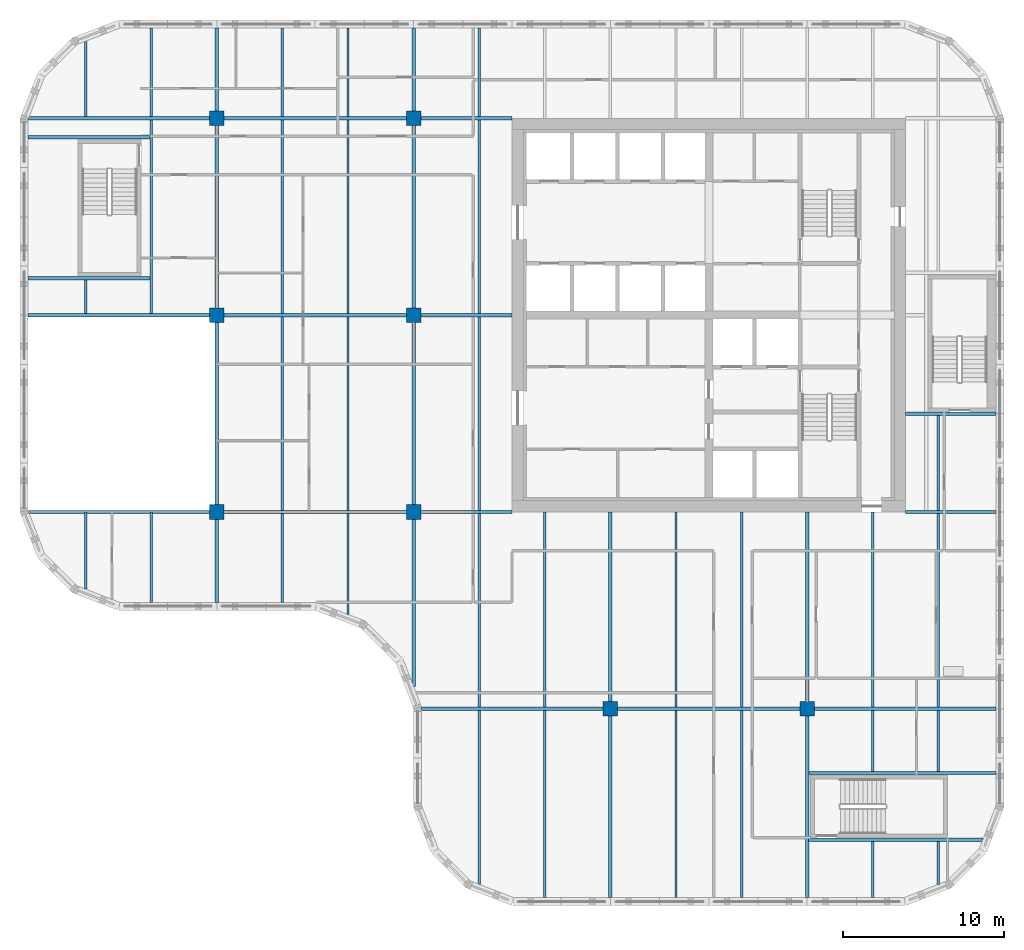
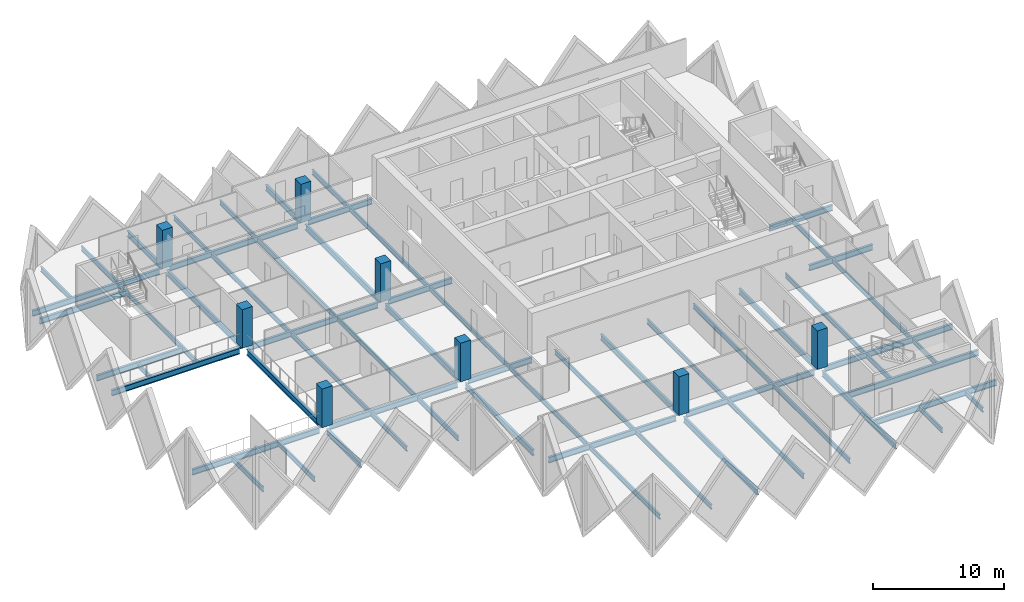
# One storey, part 1 of 12: 62 beams, 8 columns.
"""IFC4 building model written with IfcOpenShell, lengths in metres."""

from ifc_helpers import new_model, si_unit, direction, frame, origin, origin_2d, place, context, subcontext, project, spatial, rectangle, i_section, extrude, material, material_profile, profile_set, type_object, element, save


model = new_model("IFC4")

# Units and contexts
model_context = context("Model", 3, precision=1e-05, world=origin(), true_north=direction((0.0, 1.0)))
body_context = subcontext(model_context, "Body", "Model", "MODEL_VIEW")
ifc_project = project(units=[si_unit("LENGTHUNIT", "METRE"), si_unit("AREAUNIT", "SQUARE_METRE"), si_unit("VOLUMEUNIT", "CUBIC_METRE"), si_unit("PLANEANGLEUNIT", "RADIAN"), si_unit("MASSUNIT", "GRAM", prefix="KILO")], contexts=[model_context])

# Site, building, storey
site_placement = place(None, origin())
site = spatial("IfcSite", under=ifc_project, at=site_placement, CompositionType="ELEMENT")
building_placement = place(site_placement, origin())
building = spatial("IfcBuilding", under=site, at=building_placement, Name="Tessera Gate Towers", CompositionType="ELEMENT")
storey_placement = place(building_placement, frame((0.0, 0.0, 124.0)))
storey = spatial("IfcBuildingStorey", under=building, at=storey_placement, Name="L30", CompositionType="ELEMENT", Elevation=124.0)

# Columns
ifc_material_1 = material(Name="Concrete C70/85", Category="concrete")
ifc_material_profile_1 = material_profile(ifc_material_1, rectangle(XDim=0.89990234375, YDim=0.89990234375, at=origin_2d()), Name="RC 900x900")
ifc_profile_set_1 = profile_set([ifc_material_profile_1], Name="Concrete C70/85")
column_type = type_object("IfcColumnType", Name="COLUMN RC 900x900", PredefinedType="COLUMN", material=ifc_profile_set_1)
for number, where, z_axis, x_axis, name in (
    (1, (12.199951171875, 24.39990234375, 0.0), (0.0, 0.0, 1.0), (1.0, 0.0, 0.0), "T1-COL-2C-L30"),
    (2, (12.199951171875, 36.60009765625, 0.0), (0.0, 0.0, 1.0), (1.0, 0.0, 0.0), "T1-COL-2D-L30"),
    (3, (12.199951171875, 48.800048828125, 0.0), (0.0, 0.0, 1.0), (1.0, 0.0, 0.0), "T1-COL-2E-L30"),
    (4, (24.39990234375, 24.39990234375, 0.0), (0.0, 0.0, 1.0), (1.0, 0.0, 0.0), "T1-COL-3C-L30"),
    (5, (24.39990234375, 36.60009765625, 0.0), (0.0, 0.0, 1.0), (1.0, 0.0, 0.0), "T1-COL-3D-L30"),
    (6, (24.39990234375, 48.800048828125, 0.0), (0.0, 0.0, 1.0), (1.0, 0.0, 0.0), "T1-COL-3E-L30"),
    (7, (36.60009765625, 12.199951171875, 0.0), (0.0, 0.0, 1.0), (1.0, 0.0, 0.0), "T1-COL-4B-L30"),
    (8, (48.800048828125, 12.199951171875, 0.0), (0.0, 0.0, 1.0), (1.0, 0.0, 0.0), "T1-COL-5B-L30"),
):
    element("IfcColumn", number, at=place(storey_placement, frame(where, z_axis=z_axis, x_axis=x_axis)), inside=storey, type_object=column_type, Name=name, PredefinedType="COLUMN", context=body_context, shape_type="SweptSolid", body=[
        extrude(rectangle(XDim=0.89990234375, YDim=0.89990234375, at=origin_2d()), origin(), (0.0, 0.0, 1.0), 3.60009765625),
    ])

# Beams
ifc_material_2 = material(Name="Steel 350W", Category="steel")
ifc_material_profile_2 = material_profile(ifc_material_2, i_section(OverallWidth=0.208984375, OverallDepth=0.532958984375, WebThickness=0.01025390625, FlangeThickness=0.015625, at=origin_2d()), Name="W530x92")
ifc_profile_set_2 = profile_set([ifc_material_profile_2], Name="Steel 350W")
beam_type_1 = type_object("IfcBeamType", Name="FLOOR GIRDER W530x92", PredefinedType="BEAM", material=ifc_profile_set_2)
beam_1_placement = place(storey_placement, frame((24.89892578125, 12.199951171875, -0.466552734375), z_axis=(1.0, 0.0, 0.0), x_axis=(0.0, 1.0, 0.0)))
element("IfcBeam", 9, at=beam_1_placement, inside=storey, type_object=beam_type_1, Name="T1-GD-L30-3778", PredefinedType="BEAM", context=body_context, shape_type="SweptSolid", body=[
    extrude(i_section(OverallWidth=0.208984375, OverallDepth=0.532958984375, WebThickness=0.01025390625, FlangeThickness=0.015625, at=origin_2d()), origin(), (0.0, 0.0, 1.0), 11.2509765625),
])
beam_2_placement = place(storey_placement, frame((37.050048828125, 12.199951171875, -0.466552734375), z_axis=(1.0, 0.0, 0.0), x_axis=(0.0, 1.0, 0.0)))
element("IfcBeam", 10, at=beam_2_placement, inside=storey, type_object=beam_type_1, Name="T1-GD-L30-3779", PredefinedType="BEAM", context=body_context, shape_type="SweptSolid", body=[
    extrude(i_section(OverallWidth=0.208984375, OverallDepth=0.532958984375, WebThickness=0.01025390625, FlangeThickness=0.015625, at=origin_2d()), origin(), (0.0, 0.0, 1.0), 11.300048828125),
])
beam_3_placement = place(storey_placement, frame((49.25, 12.199951171875, -0.466552734375), z_axis=(1.0, 0.0, 0.0), x_axis=(0.0, 1.0, 0.0)))
element("IfcBeam", 11, at=beam_3_placement, inside=storey, type_object=beam_type_1, Name="T1-GD-L30-3780", PredefinedType="BEAM", context=body_context, shape_type="SweptSolid", body=[
    extrude(i_section(OverallWidth=0.208984375, OverallDepth=0.532958984375, WebThickness=0.01025390625, FlangeThickness=0.015625, at=origin_2d()), origin(), (0.0, 0.0, 1.0), 11.2509765625),
])
beam_4_placement = place(storey_placement, frame((0.534912109375, 24.39990234375, -0.466552734375), z_axis=(1.0, 0.0, 0.0), x_axis=(0.0, 1.0, 0.0)))
element("IfcBeam", 12, at=beam_4_placement, inside=storey, type_object=beam_type_1, Name="T1-GD-L30-3781", PredefinedType="BEAM", context=body_context, shape_type="SweptSolid", body=[
    extrude(i_section(OverallWidth=0.208984375, OverallDepth=0.532958984375, WebThickness=0.01025390625, FlangeThickness=0.015625, at=origin_2d()), origin(), (0.0, 0.0, 1.0), 11.215087890625),
])
beam_5_placement = place(storey_placement, frame((12.64990234375, 24.39990234375, -0.466552734375), z_axis=(1.0, 0.0, 0.0), x_axis=(0.0, 1.0, 0.0)))
element("IfcBeam", 13, at=beam_5_placement, inside=storey, type_object=beam_type_1, Name="T1-GD-L30-3782", PredefinedType="BEAM", context=body_context, shape_type="SweptSolid", body=[
    extrude(i_section(OverallWidth=0.208984375, OverallDepth=0.532958984375, WebThickness=0.01025390625, FlangeThickness=0.015625, at=origin_2d()), origin(), (0.0, 0.0, 1.0), 11.300048828125),
])
beam_6_placement = place(storey_placement, frame((24.85009765625, 24.39990234375, -0.466552734375), z_axis=(1.0, 0.0, 0.0), x_axis=(0.0, 1.0, 0.0)))
element("IfcBeam", 14, at=beam_6_placement, inside=storey, type_object=beam_type_1, Name="T1-GD-L30-3783", PredefinedType="BEAM", context=body_context, shape_type="SweptSolid", body=[
    extrude(i_section(OverallWidth=0.208984375, OverallDepth=0.532958984375, WebThickness=0.01025390625, FlangeThickness=0.015625, at=origin_2d()), origin(), (0.0, 0.0, 1.0), 5.64892578125),
])
beam_7_placement = place(storey_placement, frame((54.90087890625, 24.39990234375, -0.466552734375), z_axis=(1.0, 0.0, 0.0), x_axis=(0.0, 1.0, 0.0)))
element("IfcBeam", 15, at=beam_7_placement, inside=storey, type_object=beam_type_1, Name="T1-GD-L30-3784", PredefinedType="BEAM", context=body_context, shape_type="SweptSolid", body=[
    extrude(i_section(OverallWidth=0.208984375, OverallDepth=0.532958984375, WebThickness=0.01025390625, FlangeThickness=0.015625, at=origin_2d()), origin(), (0.0, 0.0, 1.0), 5.60009765625),
])
beam_8_placement = place(storey_placement, frame((0.4990234375, 36.60009765625, -0.466552734375), z_axis=(1.0, 0.0, 0.0), x_axis=(0.0, 1.0, 0.0)))
element("IfcBeam", 16, at=beam_8_placement, inside=storey, type_object=beam_type_1, Name="T1-GD-L30-3785", PredefinedType="BEAM", context=body_context, shape_type="SweptSolid", body=[
    extrude(i_section(OverallWidth=0.208984375, OverallDepth=0.532958984375, WebThickness=0.01025390625, FlangeThickness=0.015625, at=origin_2d()), origin(), (0.0, 0.0, 1.0), 11.2509765625),
])
beam_9_placement = place(storey_placement, frame((12.64990234375, 36.60009765625, -0.466552734375), z_axis=(1.0, 0.0, 0.0), x_axis=(0.0, 1.0, 0.0)))
element("IfcBeam", 17, at=beam_9_placement, inside=storey, type_object=beam_type_1, Name="T1-GD-L30-3786", PredefinedType="BEAM", context=body_context, shape_type="SweptSolid", body=[
    extrude(i_section(OverallWidth=0.208984375, OverallDepth=0.532958984375, WebThickness=0.01025390625, FlangeThickness=0.015625, at=origin_2d()), origin(), (0.0, 0.0, 1.0), 11.300048828125),
])
beam_10_placement = place(storey_placement, frame((24.85009765625, 36.60009765625, -0.466552734375), z_axis=(1.0, 0.0, 0.0), x_axis=(0.0, 1.0, 0.0)))
element("IfcBeam", 18, at=beam_10_placement, inside=storey, type_object=beam_type_1, Name="T1-GD-L30-3787", PredefinedType="BEAM", context=body_context, shape_type="SweptSolid", body=[
    extrude(i_section(OverallWidth=0.208984375, OverallDepth=0.532958984375, WebThickness=0.01025390625, FlangeThickness=0.015625, at=origin_2d()), origin(), (0.0, 0.0, 1.0), 5.65087890625),
])
beam_11_placement = place(storey_placement, frame((0.534912109375, 48.800048828125, -0.466552734375), z_axis=(1.0, 0.0, 0.0), x_axis=(0.0, 1.0, 0.0)))
element("IfcBeam", 19, at=beam_11_placement, inside=storey, type_object=beam_type_1, Name="T1-GD-L30-3789", PredefinedType="BEAM", context=body_context, shape_type="SweptSolid", body=[
    extrude(i_section(OverallWidth=0.208984375, OverallDepth=0.532958984375, WebThickness=0.01025390625, FlangeThickness=0.015625, at=origin_2d()), origin(), (0.0, 0.0, 1.0), 11.215087890625),
])
beam_12_placement = place(storey_placement, frame((12.64990234375, 48.800048828125, -0.466552734375), z_axis=(1.0, 0.0, 0.0), x_axis=(0.0, 1.0, 0.0)))
element("IfcBeam", 20, at=beam_12_placement, inside=storey, type_object=beam_type_1, Name="T1-GD-L30-3790", PredefinedType="BEAM", context=body_context, shape_type="SweptSolid", body=[
    extrude(i_section(OverallWidth=0.208984375, OverallDepth=0.532958984375, WebThickness=0.01025390625, FlangeThickness=0.015625, at=origin_2d()), origin(), (0.0, 0.0, 1.0), 11.300048828125),
])
beam_13_placement = place(storey_placement, frame((24.85009765625, 48.800048828125, -0.466552734375), z_axis=(1.0, 0.0, 0.0), x_axis=(0.0, 1.0, 0.0)))
element("IfcBeam", 21, at=beam_13_placement, inside=storey, type_object=beam_type_1, Name="T1-GD-L30-3791", PredefinedType="BEAM", context=body_context, shape_type="SweptSolid", body=[
    extrude(i_section(OverallWidth=0.208984375, OverallDepth=0.532958984375, WebThickness=0.01025390625, FlangeThickness=0.015625, at=origin_2d()), origin(), (0.0, 0.0, 1.0), 5.64892578125),
])
beam_14_placement = place(storey_placement, frame((12.199951171875, 18.799072265625, -0.466552734375), z_axis=(0.0, 1.0, 0.0), x_axis=(-1.0, 0.0, 0.0)))
element("IfcBeam", 22, at=beam_14_placement, inside=storey, type_object=beam_type_1, Name="T1-GD-L30-3793", PredefinedType="BEAM", context=body_context, shape_type="SweptSolid", body=[
    extrude(i_section(OverallWidth=0.208984375, OverallDepth=0.532958984375, WebThickness=0.01025390625, FlangeThickness=0.015625, at=origin_2d()), origin(), (0.0, 0.0, 1.0), 5.15087890625),
])
beam_15_placement = place(storey_placement, frame((12.199951171875, 24.85009765625, -0.466552734375), z_axis=(0.0, 1.0, 0.0), x_axis=(-1.0, 0.0, 0.0)))
element("IfcBeam", 23, at=beam_15_placement, inside=storey, type_object=beam_type_1, Name="T1-GD-L30-3794", PredefinedType="BEAM", context=body_context, shape_type="SweptSolid", body=[
    extrude(i_section(OverallWidth=0.208984375, OverallDepth=0.532958984375, WebThickness=0.01025390625, FlangeThickness=0.015625, at=origin_2d()), origin(), (0.0, 0.0, 1.0), 11.2998046875),
])
beam_16_placement = place(storey_placement, frame((12.199951171875, 37.050048828125, -0.466552734375), z_axis=(0.0, 1.0, 0.0), x_axis=(-1.0, 0.0, 0.0)))
element("IfcBeam", 24, at=beam_16_placement, inside=storey, type_object=beam_type_1, Name="T1-GD-L30-3795", PredefinedType="BEAM", context=body_context, shape_type="SweptSolid", body=[
    extrude(i_section(OverallWidth=0.208984375, OverallDepth=0.532958984375, WebThickness=0.01025390625, FlangeThickness=0.015625, at=origin_2d()), origin(), (0.0, 0.0, 1.0), 11.300048828125),
])
beam_17_placement = place(storey_placement, frame((12.199951171875, 49.25, -0.466552734375), z_axis=(0.0, 1.0, 0.0), x_axis=(-1.0, 0.0, 0.0)))
element("IfcBeam", 25, at=beam_17_placement, inside=storey, type_object=beam_type_1, Name="T1-GD-L30-3796", PredefinedType="BEAM", context=body_context, shape_type="SweptSolid", body=[
    extrude(i_section(OverallWidth=0.208984375, OverallDepth=0.532958984375, WebThickness=0.01025390625, FlangeThickness=0.015625, at=origin_2d()), origin(), (0.0, 0.0, 1.0), 5.15087890625),
])
beam_18_placement = place(storey_placement, frame((24.39990234375, 13.58642578125, -0.466552734375), z_axis=(0.0, 1.0, 0.0), x_axis=(-1.0, 0.0, 0.0)))
element("IfcBeam", 26, at=beam_18_placement, inside=storey, type_object=beam_type_1, Name="T1-GD-L30-3797", PredefinedType="BEAM", context=body_context, shape_type="SweptSolid", body=[
    extrude(i_section(OverallWidth=0.208984375, OverallDepth=0.532958984375, WebThickness=0.01025390625, FlangeThickness=0.015625, at=origin_2d()), origin(), (0.0, 0.0, 1.0), 10.363525390625),
])
beam_19_placement = place(storey_placement, frame((24.39990234375, 24.85009765625, -0.466552734375), z_axis=(0.0, 1.0, 0.0), x_axis=(-1.0, 0.0, 0.0)))
element("IfcBeam", 27, at=beam_19_placement, inside=storey, type_object=beam_type_1, Name="T1-GD-L30-3798", PredefinedType="BEAM", context=body_context, shape_type="SweptSolid", body=[
    extrude(i_section(OverallWidth=0.208984375, OverallDepth=0.532958984375, WebThickness=0.01025390625, FlangeThickness=0.015625, at=origin_2d()), origin(), (0.0, 0.0, 1.0), 11.2998046875),
])
beam_20_placement = place(storey_placement, frame((24.39990234375, 37.050048828125, -0.466552734375), z_axis=(0.0, 1.0, 0.0), x_axis=(-1.0, 0.0, 0.0)))
element("IfcBeam", 28, at=beam_20_placement, inside=storey, type_object=beam_type_1, Name="T1-GD-L30-3799", PredefinedType="BEAM", context=body_context, shape_type="SweptSolid", body=[
    extrude(i_section(OverallWidth=0.208984375, OverallDepth=0.532958984375, WebThickness=0.01025390625, FlangeThickness=0.015625, at=origin_2d()), origin(), (0.0, 0.0, 1.0), 11.300048828125),
])
beam_21_placement = place(storey_placement, frame((24.39990234375, 49.25, -0.466552734375), z_axis=(0.0, 1.0, 0.0), x_axis=(-1.0, 0.0, 0.0)))
element("IfcBeam", 29, at=beam_21_placement, inside=storey, type_object=beam_type_1, Name="T1-GD-L30-3800", PredefinedType="BEAM", context=body_context, shape_type="SweptSolid", body=[
    extrude(i_section(OverallWidth=0.208984375, OverallDepth=0.532958984375, WebThickness=0.01025390625, FlangeThickness=0.015625, at=origin_2d()), origin(), (0.0, 0.0, 1.0), 5.15087890625),
])
beam_22_placement = place(storey_placement, frame((36.60009765625, 0.4990234375, -0.466552734375), z_axis=(0.0, 1.0, 0.0), x_axis=(-1.0, 0.0, 0.0)))
element("IfcBeam", 30, at=beam_22_placement, inside=storey, type_object=beam_type_1, Name="T1-GD-L30-3801", PredefinedType="BEAM", context=body_context, shape_type="SweptSolid", body=[
    extrude(i_section(OverallWidth=0.208984375, OverallDepth=0.532958984375, WebThickness=0.01025390625, FlangeThickness=0.015625, at=origin_2d()), origin(), (0.0, 0.0, 1.0), 11.2509765625),
])
beam_23_placement = place(storey_placement, frame((36.60009765625, 12.64990234375, -0.466552734375), z_axis=(0.0, 1.0, 0.0), x_axis=(-1.0, 0.0, 0.0)))
element("IfcBeam", 31, at=beam_23_placement, inside=storey, type_object=beam_type_1, Name="T1-GD-L30-3802", PredefinedType="BEAM", context=body_context, shape_type="SweptSolid", body=[
    extrude(i_section(OverallWidth=0.208984375, OverallDepth=0.532958984375, WebThickness=0.01025390625, FlangeThickness=0.015625, at=origin_2d()), origin(), (0.0, 0.0, 1.0), 11.75),
])
beam_24_placement = place(storey_placement, frame((48.800048828125, 0.4990234375, -0.466552734375), z_axis=(0.0, 1.0, 0.0), x_axis=(-1.0, 0.0, 0.0)))
element("IfcBeam", 32, at=beam_24_placement, inside=storey, type_object=beam_type_1, Name="T1-GD-L30-3803", PredefinedType="BEAM", context=body_context, shape_type="SweptSolid", body=[
    extrude(i_section(OverallWidth=0.208984375, OverallDepth=0.532958984375, WebThickness=0.01025390625, FlangeThickness=0.015625, at=origin_2d()), origin(), (0.0, 0.0, 1.0), 11.2509765625),
])
beam_25_placement = place(storey_placement, frame((48.800048828125, 12.64990234375, -0.466552734375), z_axis=(0.0, 1.0, 0.0), x_axis=(-1.0, 0.0, 0.0)))
element("IfcBeam", 33, at=beam_25_placement, inside=storey, type_object=beam_type_1, Name="T1-GD-L30-3804", PredefinedType="BEAM", context=body_context, shape_type="SweptSolid", body=[
    extrude(i_section(OverallWidth=0.208984375, OverallDepth=0.532958984375, WebThickness=0.01025390625, FlangeThickness=0.015625, at=origin_2d()), origin(), (0.0, 0.0, 1.0), 11.75),
])
for number, where, z_axis, x_axis, name in (
    (34, (0.4990234375, 38.8798828125, -0.466552734375), (1.0, 0.0, 0.0), (0.0, 1.0, 0.0), "T1-GD-L30-3805"),
    (35, (0.4990234375, 47.6201171875, -0.466552734375), (1.0, 0.0, 0.0), (0.0, 1.0, 0.0), "T1-GD-L30-3806"),
):
    element("IfcBeam", number, at=place(storey_placement, frame(where, z_axis=z_axis, x_axis=x_axis)), inside=storey, type_object=beam_type_1, Name=name, PredefinedType="BEAM", context=body_context, shape_type="SweptSolid", body=[
        extrude(i_section(OverallWidth=0.208984375, OverallDepth=0.532958984375, WebThickness=0.01025390625, FlangeThickness=0.015625, at=origin_2d()), origin(), (0.0, 0.0, 1.0), 7.557861328125),
    ])
beam_26_placement = place(storey_placement, frame((48.87646484375, 4.080078125, -0.466552734375), z_axis=(1.0, 0.0, 0.0), x_axis=(0.0, 1.0, 0.0)))
element("IfcBeam", 36, at=beam_26_placement, inside=storey, type_object=beam_type_1, Name="T1-GD-L30-3807", PredefinedType="BEAM", context=body_context, shape_type="SweptSolid", body=[
    extrude(i_section(OverallWidth=0.208984375, OverallDepth=0.532958984375, WebThickness=0.01025390625, FlangeThickness=0.015625, at=origin_2d()), origin(), (0.0, 0.0, 1.0), 10.809326171875),
])
beam_27_placement = place(storey_placement, frame((48.87646484375, 8.219970703125, -0.466552734375), z_axis=(1.0, 0.0, 0.0), x_axis=(0.0, 1.0, 0.0)))
element("IfcBeam", 37, at=beam_27_placement, inside=storey, type_object=beam_type_1, Name="T1-GD-L30-3808", PredefinedType="BEAM", context=body_context, shape_type="SweptSolid", body=[
    extrude(i_section(OverallWidth=0.208984375, OverallDepth=0.532958984375, WebThickness=0.01025390625, FlangeThickness=0.015625, at=origin_2d()), origin(), (0.0, 0.0, 1.0), 11.62451171875),
])
beam_28_placement = place(storey_placement, frame((54.89892578125, 30.47998046875, -0.466552734375), z_axis=(1.0, 0.0, 0.0), x_axis=(0.0, 1.0, 0.0)))
element("IfcBeam", 38, at=beam_28_placement, inside=storey, type_object=beam_type_1, Name="T1-GD-L30-3809", PredefinedType="BEAM", context=body_context, shape_type="SweptSolid", body=[
    extrude(i_section(OverallWidth=0.208984375, OverallDepth=0.532958984375, WebThickness=0.01025390625, FlangeThickness=0.015625, at=origin_2d()), origin(), (0.0, 0.0, 1.0), 5.60205078125),
])
ifc_material_3 = material(Name="Steel 350W", Category="steel")
ifc_material_profile_3 = material_profile(ifc_material_3, i_section(OverallWidth=0.153076171875, OverallDepth=0.455078125, WebThickness=0.008056640625, FlangeThickness=0.01318359375, at=origin_2d()), Name="W460x60")
ifc_profile_set_3 = profile_set([ifc_material_profile_3], Name="Steel 350W")
beam_type_2 = type_object("IfcBeamType", Name="FLOOR SECONDARY W460x60", PredefinedType="BEAM", material=ifc_profile_set_3)
beam_29_placement = place(storey_placement, frame((4.066650390625, 19.620361328125, -0.427490234375), z_axis=(0.0, 1.0, 0.0), x_axis=(-1.0, 0.0, 0.0)))
element("IfcBeam", 39, at=beam_29_placement, inside=storey, type_object=beam_type_2, Name="T1-BM-L30-3812", PredefinedType="BEAM", context=body_context, shape_type="SweptSolid", body=[
    extrude(i_section(OverallWidth=0.153076171875, OverallDepth=0.455078125, WebThickness=0.008056640625, FlangeThickness=0.01318359375, at=origin_2d()), origin(), (0.0, 0.0, 1.0), 4.779541015625),
])
beam_30_placement = place(storey_placement, frame((4.066650390625, 36.70458984375, -0.427490234375), z_axis=(0.0, 1.0, 0.0), x_axis=(-1.0, 0.0, 0.0)))
element("IfcBeam", 40, at=beam_30_placement, inside=storey, type_object=beam_type_2, Name="T1-BM-L30-3813", PredefinedType="BEAM", context=body_context, shape_type="SweptSolid", body=[
    extrude(i_section(OverallWidth=0.153076171875, OverallDepth=0.455078125, WebThickness=0.008056640625, FlangeThickness=0.01318359375, at=origin_2d()), origin(), (0.0, 0.0, 1.0), 2.07080078125),
])
beam_31_placement = place(storey_placement, frame((4.066650390625, 48.904541015625, -0.427490234375), z_axis=(0.0, 1.0, 0.0), x_axis=(-1.0, 0.0, 0.0)))
element("IfcBeam", 41, at=beam_31_placement, inside=storey, type_object=beam_type_2, Name="T1-BM-L30-3814", PredefinedType="BEAM", context=body_context, shape_type="SweptSolid", body=[
    extrude(i_section(OverallWidth=0.153076171875, OverallDepth=0.455078125, WebThickness=0.008056640625, FlangeThickness=0.01318359375, at=origin_2d()), origin(), (0.0, 0.0, 1.0), 4.675048828125),
])
beam_32_placement = place(storey_placement, frame((8.13330078125, 18.800048828125, -0.427490234375), z_axis=(0.0, 1.0, 0.0), x_axis=(-1.0, 0.0, 0.0)))
element("IfcBeam", 42, at=beam_32_placement, inside=storey, type_object=beam_type_2, Name="T1-BM-L30-3815", PredefinedType="BEAM", context=body_context, shape_type="SweptSolid", body=[
    extrude(i_section(OverallWidth=0.153076171875, OverallDepth=0.455078125, WebThickness=0.008056640625, FlangeThickness=0.01318359375, at=origin_2d()), origin(), (0.0, 0.0, 1.0), 5.599853515625),
])
beam_33_placement = place(storey_placement, frame((8.13330078125, 36.70458984375, -0.427490234375), z_axis=(0.0, 1.0, 0.0), x_axis=(-1.0, 0.0, 0.0)))
element("IfcBeam", 43, at=beam_33_placement, inside=storey, type_object=beam_type_2, Name="T1-BM-L30-3816", PredefinedType="BEAM", context=body_context, shape_type="SweptSolid", body=[
    extrude(i_section(OverallWidth=0.153076171875, OverallDepth=0.455078125, WebThickness=0.008056640625, FlangeThickness=0.01318359375, at=origin_2d()), origin(), (0.0, 0.0, 1.0), 11.990966796875),
])
for number, where, z_axis, x_axis, name in (
    (44, (8.13330078125, 48.904541015625, -0.427490234375), (0.0, 1.0, 0.0), (-1.0, 0.0, 0.0), "T1-BM-L30-3817"),
    (45, (16.2666015625, 18.800048828125, -0.427490234375), (0.0, 1.0, 0.0), (-1.0, 0.0, 0.0), "T1-BM-L30-3818"),
):
    element("IfcBeam", number, at=place(storey_placement, frame(where, z_axis=z_axis, x_axis=x_axis)), inside=storey, type_object=beam_type_2, Name=name, PredefinedType="BEAM", context=body_context, shape_type="SweptSolid", body=[
        extrude(i_section(OverallWidth=0.153076171875, OverallDepth=0.455078125, WebThickness=0.008056640625, FlangeThickness=0.01318359375, at=origin_2d()), origin(), (0.0, 0.0, 1.0), 5.495361328125),
    ])
beam_34_placement = place(storey_placement, frame((16.2666015625, 24.50439453125, -0.427490234375), z_axis=(0.0, 1.0, 0.0), x_axis=(-1.0, 0.0, 0.0)))
element("IfcBeam", 46, at=beam_34_placement, inside=storey, type_object=beam_type_2, Name="T1-BM-L30-3819", PredefinedType="BEAM", context=body_context, shape_type="SweptSolid", body=[
    extrude(i_section(OverallWidth=0.153076171875, OverallDepth=0.455078125, WebThickness=0.008056640625, FlangeThickness=0.01318359375, at=origin_2d()), origin(), (0.0, 0.0, 1.0), 11.9912109375),
])
beam_35_placement = place(storey_placement, frame((16.2666015625, 36.70458984375, -0.427490234375), z_axis=(0.0, 1.0, 0.0), x_axis=(-1.0, 0.0, 0.0)))
element("IfcBeam", 47, at=beam_35_placement, inside=storey, type_object=beam_type_2, Name="T1-BM-L30-3820", PredefinedType="BEAM", context=body_context, shape_type="SweptSolid", body=[
    extrude(i_section(OverallWidth=0.153076171875, OverallDepth=0.455078125, WebThickness=0.008056640625, FlangeThickness=0.01318359375, at=origin_2d()), origin(), (0.0, 0.0, 1.0), 11.990966796875),
])
beam_36_placement = place(storey_placement, frame((16.2666015625, 48.904541015625, -0.427490234375), z_axis=(0.0, 1.0, 0.0), x_axis=(-1.0, 0.0, 0.0)))
element("IfcBeam", 48, at=beam_36_placement, inside=storey, type_object=beam_type_2, Name="T1-BM-L30-3821", PredefinedType="BEAM", context=body_context, shape_type="SweptSolid", body=[
    extrude(i_section(OverallWidth=0.153076171875, OverallDepth=0.455078125, WebThickness=0.008056640625, FlangeThickness=0.01318359375, at=origin_2d()), origin(), (0.0, 0.0, 1.0), 5.495361328125),
])
beam_37_placement = place(storey_placement, frame((20.333251953125, 18.051513671875, -0.427490234375), z_axis=(0.0, 1.0, 0.0), x_axis=(-1.0, 0.0, 0.0)))
element("IfcBeam", 49, at=beam_37_placement, inside=storey, type_object=beam_type_2, Name="T1-BM-L30-3822", PredefinedType="BEAM", context=body_context, shape_type="SweptSolid", body=[
    extrude(i_section(OverallWidth=0.153076171875, OverallDepth=0.455078125, WebThickness=0.008056640625, FlangeThickness=0.01318359375, at=origin_2d()), origin(), (0.0, 0.0, 1.0), 6.243896484375),
])
beam_38_placement = place(storey_placement, frame((20.333251953125, 24.50439453125, -0.427490234375), z_axis=(0.0, 1.0, 0.0), x_axis=(-1.0, 0.0, 0.0)))
element("IfcBeam", 50, at=beam_38_placement, inside=storey, type_object=beam_type_2, Name="T1-BM-L30-3823", PredefinedType="BEAM", context=body_context, shape_type="SweptSolid", body=[
    extrude(i_section(OverallWidth=0.153076171875, OverallDepth=0.455078125, WebThickness=0.008056640625, FlangeThickness=0.01318359375, at=origin_2d()), origin(), (0.0, 0.0, 1.0), 11.9912109375),
])
beam_39_placement = place(storey_placement, frame((20.333251953125, 36.70458984375, -0.427490234375), z_axis=(0.0, 1.0, 0.0), x_axis=(-1.0, 0.0, 0.0)))
element("IfcBeam", 51, at=beam_39_placement, inside=storey, type_object=beam_type_2, Name="T1-BM-L30-3824", PredefinedType="BEAM", context=body_context, shape_type="SweptSolid", body=[
    extrude(i_section(OverallWidth=0.153076171875, OverallDepth=0.455078125, WebThickness=0.008056640625, FlangeThickness=0.01318359375, at=origin_2d()), origin(), (0.0, 0.0, 1.0), 11.990966796875),
])
beam_40_placement = place(storey_placement, frame((20.333251953125, 48.904541015625, -0.427490234375), z_axis=(0.0, 1.0, 0.0), x_axis=(-1.0, 0.0, 0.0)))
element("IfcBeam", 52, at=beam_40_placement, inside=storey, type_object=beam_type_2, Name="T1-BM-L30-3825", PredefinedType="BEAM", context=body_context, shape_type="SweptSolid", body=[
    extrude(i_section(OverallWidth=0.153076171875, OverallDepth=0.455078125, WebThickness=0.008056640625, FlangeThickness=0.01318359375, at=origin_2d()), origin(), (0.0, 0.0, 1.0), 5.495361328125),
])
beam_41_placement = place(storey_placement, frame((28.466796875, 1.3203125, -0.427490234375), z_axis=(0.0, 1.0, 0.0), x_axis=(-1.0, 0.0, 0.0)))
element("IfcBeam", 53, at=beam_41_placement, inside=storey, type_object=beam_type_2, Name="T1-BM-L30-3826", PredefinedType="BEAM", context=body_context, shape_type="SweptSolid", body=[
    extrude(i_section(OverallWidth=0.153076171875, OverallDepth=0.455078125, WebThickness=0.008056640625, FlangeThickness=0.01318359375, at=origin_2d()), origin(), (0.0, 0.0, 1.0), 10.775146484375),
])
beam_42_placement = place(storey_placement, frame((28.466796875, 12.304443359375, -0.427490234375), z_axis=(0.0, 1.0, 0.0), x_axis=(-1.0, 0.0, 0.0)))
element("IfcBeam", 54, at=beam_42_placement, inside=storey, type_object=beam_type_2, Name="T1-BM-L30-3827", PredefinedType="BEAM", context=body_context, shape_type="SweptSolid", body=[
    extrude(i_section(OverallWidth=0.153076171875, OverallDepth=0.455078125, WebThickness=0.008056640625, FlangeThickness=0.01318359375, at=origin_2d()), origin(), (0.0, 0.0, 1.0), 11.990966796875),
])
beam_43_placement = place(storey_placement, frame((28.466796875, 24.50439453125, -0.427490234375), z_axis=(0.0, 1.0, 0.0), x_axis=(-1.0, 0.0, 0.0)))
element("IfcBeam", 55, at=beam_43_placement, inside=storey, type_object=beam_type_2, Name="T1-BM-L30-3828", PredefinedType="BEAM", context=body_context, shape_type="SweptSolid", body=[
    extrude(i_section(OverallWidth=0.153076171875, OverallDepth=0.455078125, WebThickness=0.008056640625, FlangeThickness=0.01318359375, at=origin_2d()), origin(), (0.0, 0.0, 1.0), 11.9912109375),
])
beam_44_placement = place(storey_placement, frame((28.466796875, 36.70458984375, -0.427490234375), z_axis=(0.0, 1.0, 0.0), x_axis=(-1.0, 0.0, 0.0)))
element("IfcBeam", 56, at=beam_44_placement, inside=storey, type_object=beam_type_2, Name="T1-BM-L30-3829", PredefinedType="BEAM", context=body_context, shape_type="SweptSolid", body=[
    extrude(i_section(OverallWidth=0.153076171875, OverallDepth=0.455078125, WebThickness=0.008056640625, FlangeThickness=0.01318359375, at=origin_2d()), origin(), (0.0, 0.0, 1.0), 11.990966796875),
])
beam_45_placement = place(storey_placement, frame((28.466796875, 48.904541015625, -0.427490234375), z_axis=(0.0, 1.0, 0.0), x_axis=(-1.0, 0.0, 0.0)))
element("IfcBeam", 57, at=beam_45_placement, inside=storey, type_object=beam_type_2, Name="T1-BM-L30-3830", PredefinedType="BEAM", context=body_context, shape_type="SweptSolid", body=[
    extrude(i_section(OverallWidth=0.153076171875, OverallDepth=0.455078125, WebThickness=0.008056640625, FlangeThickness=0.01318359375, at=origin_2d()), origin(), (0.0, 0.0, 1.0), 5.495361328125),
])
beam_46_placement = place(storey_placement, frame((32.533203125, 0.5, -0.427490234375), z_axis=(0.0, 1.0, 0.0), x_axis=(-1.0, 0.0, 0.0)))
element("IfcBeam", 58, at=beam_46_placement, inside=storey, type_object=beam_type_2, Name="T1-BM-L30-3831", PredefinedType="BEAM", context=body_context, shape_type="SweptSolid", body=[
    extrude(i_section(OverallWidth=0.153076171875, OverallDepth=0.455078125, WebThickness=0.008056640625, FlangeThickness=0.01318359375, at=origin_2d()), origin(), (0.0, 0.0, 1.0), 11.595458984375),
])
beam_47_placement = place(storey_placement, frame((32.533203125, 12.304443359375, -0.427490234375), z_axis=(0.0, 1.0, 0.0), x_axis=(-1.0, 0.0, 0.0)))
element("IfcBeam", 59, at=beam_47_placement, inside=storey, type_object=beam_type_2, Name="T1-BM-L30-3832", PredefinedType="BEAM", context=body_context, shape_type="SweptSolid", body=[
    extrude(i_section(OverallWidth=0.153076171875, OverallDepth=0.455078125, WebThickness=0.008056640625, FlangeThickness=0.01318359375, at=origin_2d()), origin(), (0.0, 0.0, 1.0), 12.095458984375),
])
beam_48_placement = place(storey_placement, frame((40.666748046875, 0.5, -0.427490234375), z_axis=(0.0, 1.0, 0.0), x_axis=(-1.0, 0.0, 0.0)))
element("IfcBeam", 60, at=beam_48_placement, inside=storey, type_object=beam_type_2, Name="T1-BM-L30-3835", PredefinedType="BEAM", context=body_context, shape_type="SweptSolid", body=[
    extrude(i_section(OverallWidth=0.153076171875, OverallDepth=0.455078125, WebThickness=0.008056640625, FlangeThickness=0.01318359375, at=origin_2d()), origin(), (0.0, 0.0, 1.0), 11.595458984375),
])
beam_49_placement = place(storey_placement, frame((40.666748046875, 12.304443359375, -0.427490234375), z_axis=(0.0, 1.0, 0.0), x_axis=(-1.0, 0.0, 0.0)))
element("IfcBeam", 61, at=beam_49_placement, inside=storey, type_object=beam_type_2, Name="T1-BM-L30-3836", PredefinedType="BEAM", context=body_context, shape_type="SweptSolid", body=[
    extrude(i_section(OverallWidth=0.153076171875, OverallDepth=0.455078125, WebThickness=0.008056640625, FlangeThickness=0.01318359375, at=origin_2d()), origin(), (0.0, 0.0, 1.0), 12.095458984375),
])
beam_50_placement = place(storey_placement, frame((44.7333984375, 0.5, -0.427490234375), z_axis=(0.0, 1.0, 0.0), x_axis=(-1.0, 0.0, 0.0)))
element("IfcBeam", 62, at=beam_50_placement, inside=storey, type_object=beam_type_2, Name="T1-BM-L30-3838", PredefinedType="BEAM", context=body_context, shape_type="SweptSolid", body=[
    extrude(i_section(OverallWidth=0.153076171875, OverallDepth=0.455078125, WebThickness=0.008056640625, FlangeThickness=0.01318359375, at=origin_2d()), origin(), (0.0, 0.0, 1.0), 11.595458984375),
])
beam_51_placement = place(storey_placement, frame((44.7333984375, 12.304443359375, -0.427490234375), z_axis=(0.0, 1.0, 0.0), x_axis=(-1.0, 0.0, 0.0)))
element("IfcBeam", 63, at=beam_51_placement, inside=storey, type_object=beam_type_2, Name="T1-BM-L30-3839", PredefinedType="BEAM", context=body_context, shape_type="SweptSolid", body=[
    extrude(i_section(OverallWidth=0.153076171875, OverallDepth=0.455078125, WebThickness=0.008056640625, FlangeThickness=0.01318359375, at=origin_2d()), origin(), (0.0, 0.0, 1.0), 12.095458984375),
])
beam_52_placement = place(storey_placement, frame((52.86669921875, 0.5, -0.427490234375), z_axis=(0.0, 1.0, 0.0), x_axis=(-1.0, 0.0, 0.0)))
element("IfcBeam", 64, at=beam_52_placement, inside=storey, type_object=beam_type_2, Name="T1-BM-L30-3842", PredefinedType="BEAM", context=body_context, shape_type="SweptSolid", body=[
    extrude(i_section(OverallWidth=0.153076171875, OverallDepth=0.455078125, WebThickness=0.008056640625, FlangeThickness=0.01318359375, at=origin_2d()), origin(), (0.0, 0.0, 1.0), 3.4755859375),
])
beam_53_placement = place(storey_placement, frame((52.86669921875, 8.324462890625, -0.427490234375), z_axis=(0.0, 1.0, 0.0), x_axis=(-1.0, 0.0, 0.0)))
element("IfcBeam", 65, at=beam_53_placement, inside=storey, type_object=beam_type_2, Name="T1-BM-L30-3843", PredefinedType="BEAM", context=body_context, shape_type="SweptSolid", body=[
    extrude(i_section(OverallWidth=0.153076171875, OverallDepth=0.455078125, WebThickness=0.008056640625, FlangeThickness=0.01318359375, at=origin_2d()), origin(), (0.0, 0.0, 1.0), 3.77099609375),
])
beam_54_placement = place(storey_placement, frame((52.86669921875, 12.304443359375, -0.427490234375), z_axis=(0.0, 1.0, 0.0), x_axis=(-1.0, 0.0, 0.0)))
element("IfcBeam", 66, at=beam_54_placement, inside=storey, type_object=beam_type_2, Name="T1-BM-L30-3844", PredefinedType="BEAM", context=body_context, shape_type="SweptSolid", body=[
    extrude(i_section(OverallWidth=0.153076171875, OverallDepth=0.455078125, WebThickness=0.008056640625, FlangeThickness=0.01318359375, at=origin_2d()), origin(), (0.0, 0.0, 1.0), 12.095458984375),
])
beam_55_placement = place(storey_placement, frame((56.933349609375, 1.3203125, -0.427490234375), z_axis=(0.0, 1.0, 0.0), x_axis=(-1.0, 0.0, 0.0)))
element("IfcBeam", 67, at=beam_55_placement, inside=storey, type_object=beam_type_2, Name="T1-BM-L30-3846", PredefinedType="BEAM", context=body_context, shape_type="SweptSolid", body=[
    extrude(i_section(OverallWidth=0.153076171875, OverallDepth=0.455078125, WebThickness=0.008056640625, FlangeThickness=0.01318359375, at=origin_2d()), origin(), (0.0, 0.0, 1.0), 2.6552734375),
])
beam_56_placement = place(storey_placement, frame((56.933349609375, 8.324462890625, -0.427490234375), z_axis=(0.0, 1.0, 0.0), x_axis=(-1.0, 0.0, 0.0)))
element("IfcBeam", 68, at=beam_56_placement, inside=storey, type_object=beam_type_2, Name="T1-BM-L30-3847", PredefinedType="BEAM", context=body_context, shape_type="SweptSolid", body=[
    extrude(i_section(OverallWidth=0.153076171875, OverallDepth=0.455078125, WebThickness=0.008056640625, FlangeThickness=0.01318359375, at=origin_2d()), origin(), (0.0, 0.0, 1.0), 3.77099609375),
])
beam_57_placement = place(storey_placement, frame((56.933349609375, 12.304443359375, -0.427490234375), z_axis=(0.0, 1.0, 0.0), x_axis=(-1.0, 0.0, 0.0)))
element("IfcBeam", 69, at=beam_57_placement, inside=storey, type_object=beam_type_2, Name="T1-BM-L30-3848", PredefinedType="BEAM", context=body_context, shape_type="SweptSolid", body=[
    extrude(i_section(OverallWidth=0.153076171875, OverallDepth=0.455078125, WebThickness=0.008056640625, FlangeThickness=0.01318359375, at=origin_2d()), origin(), (0.0, 0.0, 1.0), 11.990966796875),
])
beam_58_placement = place(storey_placement, frame((56.933349609375, 24.50439453125, -0.427490234375), z_axis=(0.0, 1.0, 0.0), x_axis=(-1.0, 0.0, 0.0)))
element("IfcBeam", 70, at=beam_58_placement, inside=storey, type_object=beam_type_2, Name="T1-BM-L30-3849", PredefinedType="BEAM", context=body_context, shape_type="SweptSolid", body=[
    extrude(i_section(OverallWidth=0.153076171875, OverallDepth=0.455078125, WebThickness=0.008056640625, FlangeThickness=0.01318359375, at=origin_2d()), origin(), (0.0, 0.0, 1.0), 5.87109375),
])

save(model, "model.ifc")
